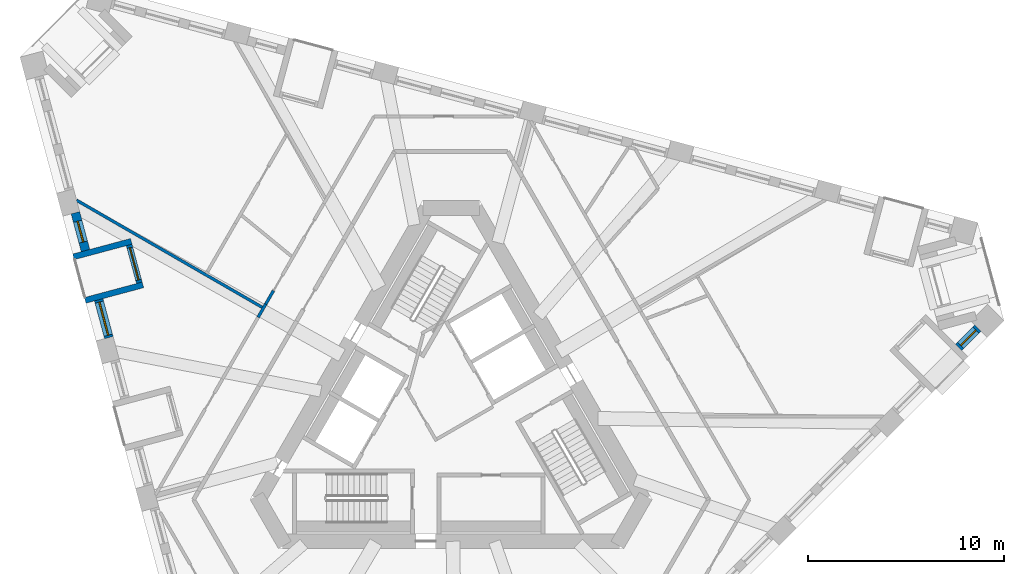
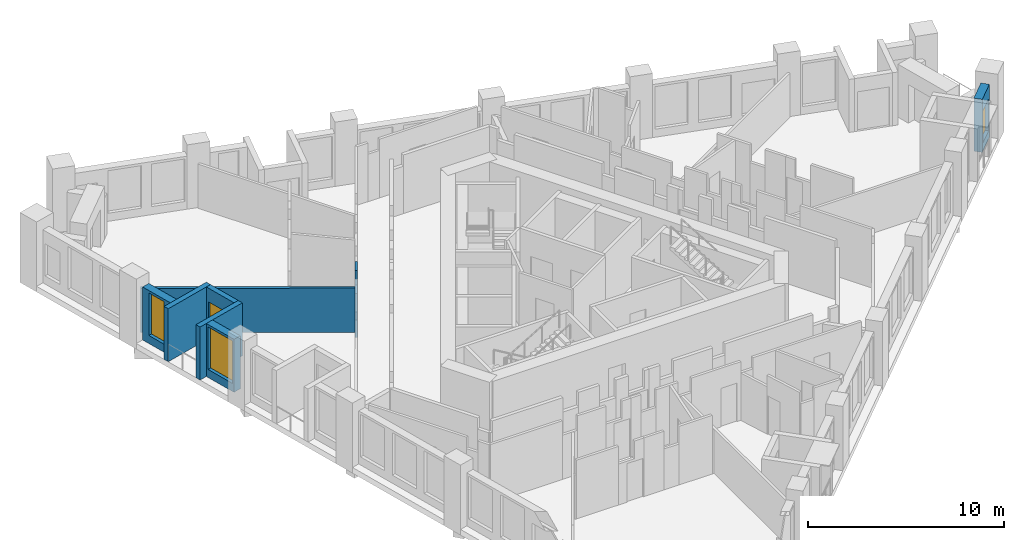
# One storey, part 6 of 13: 9 walls, 3 windows, 1 door, 4 openings.
"""IFC4 building model written with IfcOpenShell, lengths in metres."""

import ifcopenshell
import ifcopenshell.guid

model = None  # the IFC model being written
_history = None  # IfcOwnerHistory: only IFC2X3 demands one
_inside = {}  # id of a spatial element -> (the spatial element, [elements in it])
_under = {}  # id of a project, library or spatial element -> (it, [spatial elements below it])
_declared = {}  # id of a project -> (the project, [libraries it declares])
_typed = {}  # id of a type object -> (the type object, [elements of that type])
_made_of = {}  # id of a material, layer set ... -> (it, [elements and type objects made of it])


def new_model(schema):
    """Start an empty IFC model of exactly this schema.

    Asked for "IFC4X3", IfcOpenShell would pick the latest addendum, in which some entities
    have other attributes; the version numbers below select the first issue.
    IFC2X3 requires an IfcOwnerHistory on every rooted entity: one is made here for all.
    """
    global model, _history
    if schema == "IFC4X3":
        model = ifcopenshell.file(schema_version=(4, 3, 0, 0))
    else:
        model = ifcopenshell.file(schema=schema)
    _inside.clear()
    _under.clear()
    _declared.clear()
    _typed.clear()
    _made_of.clear()
    _history = None
    if model.schema == "IFC2X3":
        org = make("IfcOrganization", Name="unknown")
        user = make(
            "IfcPersonAndOrganization",
            ThePerson=make("IfcPerson", FamilyName="unknown"),
            TheOrganization=org,
        )
        app = make(
            "IfcApplication",
            ApplicationDeveloper=org,
            Version="unknown",
            ApplicationFullName="unknown",
            ApplicationIdentifier="unknown",
        )
        _history = make(
            "IfcOwnerHistory",
            OwningUser=user,
            OwningApplication=app,
            ChangeAction="ADDED",
            CreationDate=0,
        )
    return model


def make(cls, **values):
    """One entity of the class cls with the attributes given. An attribute that is None is left unset."""
    return model.create_entity(
        cls, **{name: value for name, value in values.items() if value is not None}
    )


def rooted(cls, **values):
    """An entity with a GlobalId (a new one), such as an element, a storey or a relation."""
    return make(cls, GlobalId=ifcopenshell.guid.new(), OwnerHistory=_history, **values)


def si_unit(unit_type, name, prefix=None):
    """IfcSIUnit, for example si_unit("LENGTHUNIT", "METRE", prefix="MILLI")."""
    return make("IfcSIUnit", UnitType=unit_type, Prefix=prefix, Name=name)


def assignment(units):
    """IfcUnitAssignment: the units of a project."""
    return None if units is None else make("IfcUnitAssignment", Units=units)


def point(xyz):
    """IfcCartesianPoint."""
    return None if xyz is None else make("IfcCartesianPoint", Coordinates=xyz)


def direction(xyz):
    """IfcDirection."""
    return None if xyz is None else make("IfcDirection", DirectionRatios=xyz)


def frame(location, z_axis=None, x_axis=None):
    """IfcAxis2Placement3D, a coordinate frame: its origin and axes. An axis left out is left unset."""
    return make(
        "IfcAxis2Placement3D",
        Location=point(location),
        Axis=direction(z_axis),
        RefDirection=direction(x_axis),
    )


def frame_2d(location, x_axis=None):
    """IfcAxis2Placement2D, a coordinate frame in the plane: its origin and x axis."""
    return make(
        "IfcAxis2Placement2D", Location=point(location), RefDirection=direction(x_axis)
    )


def origin():
    """The frame at (0, 0, 0) with its axes left unset."""
    return frame((0.0, 0.0, 0.0))


def place(relative_to, where):
    """IfcLocalPlacement: puts the frame where relative to a parent placement (None: the world)."""
    return make(
        "IfcLocalPlacement", PlacementRelTo=relative_to, RelativePlacement=where
    )


def context(
    kind, dimensions, precision=None, world=None, true_north=None, identifier=None
):
    """IfcGeometricRepresentationContext, for example the 3D "Model" context."""
    return make(
        "IfcGeometricRepresentationContext",
        ContextIdentifier=identifier,
        ContextType=kind,
        CoordinateSpaceDimension=dimensions,
        Precision=precision,
        WorldCoordinateSystem=world,
        TrueNorth=true_north,
    )


def subcontext(parent, identifier, kind, view, scale=None):
    """IfcGeometricRepresentationSubContext, for example "Body" below "Model"."""
    return make(
        "IfcGeometricRepresentationSubContext",
        ContextIdentifier=identifier,
        ContextType=kind,
        ParentContext=parent,
        TargetScale=scale,
        TargetView=view,
    )


def project(units=None, contexts=None):
    """IfcProject with its units and contexts."""
    return rooted(
        "IfcProject",
        Name="project",
        RepresentationContexts=contexts,
        UnitsInContext=assignment(units),
    )


def spatial(cls, under=None, at=None, **own):
    """A site, building, storey or space (cls), placed at a placement, below another one or the project."""
    s = rooted(cls, ObjectPlacement=at, **own)
    if under is not None:
        _under.setdefault(under.id(), (under, []))[1].append(s)
    return s


def profile(cls, at=None, kind="AREA", **sizes):
    """A parametric profile (cls). Its sizes go by their IFC names, for example OverallWidth=200.0."""
    return make(cls, ProfileType=kind, Position=at, **sizes)


def rectangle(**sizes):
    """IfcRectangleProfileDef."""
    return profile("IfcRectangleProfileDef", **sizes)


def extrude(swept, where, along, depth):
    """IfcExtrudedAreaSolid: the profile swept, set in the frame where, extruded along a direction by depth."""
    return make(
        "IfcExtrudedAreaSolid",
        SweptArea=swept,
        Position=where,
        ExtrudedDirection=direction(along),
        Depth=depth,
    )


def shape(context_of_items, identifier, shape_type, items):
    """IfcShapeRepresentation: the items that make up one representation, for example the "Body"."""
    return make(
        "IfcShapeRepresentation",
        ContextOfItems=context_of_items,
        RepresentationIdentifier=identifier,
        RepresentationType=shape_type,
        Items=items,
    )


def material(Name=None, Category=None):
    """IfcMaterial."""
    return make("IfcMaterial", Name=Name, Category=Category)


def layer(
    of_material, thickness, ventilated=None, Name=None, Category=None, Priority=None
):
    """IfcMaterialLayer: one layer of a wall or slab, of a material (None: an air gap)."""
    return make(
        "IfcMaterialLayer",
        Material=of_material,
        LayerThickness=thickness,
        IsVentilated=ventilated,
        Name=Name,
        Category=Category,
        Priority=Priority,
    )


def layer_set(layers, Name=None):
    """IfcMaterialLayerSet."""
    return make("IfcMaterialLayerSet", MaterialLayers=layers, LayerSetName=Name)


def made_of(thing, what):
    """Note that an element or type object is made of a material, layer set ...; save() writes the relation."""
    if what is not None:
        _made_of.setdefault(what.id(), (what, []))[1].append(thing)
    return thing


def type_object(cls, material=None, **own):
    """A type object (cls), such as IfcWallType, which elements share."""
    return made_of(rooted(cls, **own), material)


def element(
    cls,
    number,
    at=None,
    inside=None,
    cuts=None,
    type_object=None,
    material=None,
    context=None,
    identifier="Body",
    shape_type=None,
    held_by="IfcProductDefinitionShape",
    body=None,
    shapes=None,
    **own,
):
    """One element of the class cls, such as IfcWall. Its Tag is "e" and its number.

    at: its placement. inside: the storey or other place that contains it. cuts: it is an
    opening in that element (IfcRelVoidsElement). A single representation is given by context,
    identifier, shape_type and body (its items); several are given by shapes. held_by: the class
    of the entity that holds the representations. save() writes the other relations.
    """
    e = rooted(cls, Tag="e%d" % number, ObjectPlacement=at, **own)
    if body is not None:
        shapes = [shape(context, identifier, shape_type, body)]
    if shapes is not None:
        e.Representation = make(held_by, Representations=shapes)
    if inside is not None:
        _inside.setdefault(inside.id(), (inside, []))[1].append(e)
    if cuts is not None:
        rooted(
            "IfcRelVoidsElement", RelatingBuildingElement=cuts, RelatedOpeningElement=e
        )
    if type_object is not None:
        _typed.setdefault(type_object.id(), (type_object, []))[1].append(e)
    return made_of(e, material)


def fill(opening, filler):
    """IfcRelFillsElement: the door or window that sits in an opening."""
    return rooted(
        "IfcRelFillsElement",
        RelatingOpeningElement=opening,
        RelatedBuildingElement=filler,
    )


def aggregate(whole, parts):
    """IfcRelAggregates: a whole, such as a stair, and the parts it consists of."""
    return rooted("IfcRelAggregates", RelatingObject=whole, RelatedObjects=parts)


def save(model, path):
    """Write the relations noted so far, then the file.

    IfcRelAggregates (storeys below a building ...), IfcRelContainedInSpatialStructure (elements
    in a storey), IfcRelDefinesByType, IfcRelAssociatesMaterial and IfcRelDeclares: one each for
    every whole, place, type object, material and project.
    """
    for whole, parts in _under.values():
        aggregate(whole, parts)
    for where, things in _inside.values():
        rooted(
            "IfcRelContainedInSpatialStructure",
            RelatedElements=things,
            RelatingStructure=where,
        )
    for kind, things in _typed.values():
        rooted("IfcRelDefinesByType", RelatedObjects=things, RelatingType=kind)
    for what, things in _made_of.values():
        rooted("IfcRelAssociatesMaterial", RelatedObjects=things, RelatingMaterial=what)
    for by, libraries in _declared.values():
        rooted("IfcRelDeclares", RelatingContext=by, RelatedDefinitions=libraries)
    model.write(path)


model = new_model("IFC4")

# Units and contexts
model_context = context("Model", 3, precision=1e-05, world=origin(), true_north=direction((0.0, 1.0)))
body_context = subcontext(model_context, "Body", "Model", "MODEL_VIEW")
ifc_project = project(units=[si_unit("LENGTHUNIT", "METRE"), si_unit("AREAUNIT", "SQUARE_METRE"), si_unit("VOLUMEUNIT", "CUBIC_METRE"), si_unit("PLANEANGLEUNIT", "RADIAN"), si_unit("MASSUNIT", "GRAM", prefix="KILO")], contexts=[model_context])

# Site, building, storey
site_placement = place(None, origin())
site = spatial("IfcSite", under=ifc_project, at=site_placement, CompositionType="ELEMENT")
building_placement = place(site_placement, origin())
building = spatial("IfcBuilding", under=site, at=building_placement, Name="Tramontana Tower", CompositionType="ELEMENT")
storey_placement = place(building_placement, frame((0.0, 0.0, 200.0)))
storey = spatial("IfcBuildingStorey", under=building, at=storey_placement, Name="L46", CompositionType="ELEMENT", Elevation=200.0)

# Wall, opening, window
ifc_material_1 = material(Name="Precast concrete 60 MPa", Category="concrete")
ifc_layer_1 = layer(ifc_material_1, 0.449951171875)
ifc_layer_set_1 = layer_set([ifc_layer_1], Name="Precast concrete 60 MPa, 450 mm")
wall_type_1 = type_object("IfcWallType", Name="EW1 Stone-faced precast wall 450", PredefinedType="SOLIDWALL", material=ifc_layer_set_1)
wall_1_placement = place(storey_placement, frame((-19.1650390625, 10.3818359375, 0.0), z_axis=(0.0, 0.0, 1.0), x_axis=(0.258803270362, -0.96593005298, 0.0)))
wall_1 = element("IfcWall", 1, at=wall_1_placement, inside=storey, type_object=wall_type_1, Name="External wall L46 face 0 bay 2", PredefinedType="SOLIDWALL", context=body_context, shape_type="SweptSolid", body=[
    extrude(rectangle(XDim=1.998046875, YDim=0.449951171875, at=frame_2d((0.9990234375, 0.0))), origin(), (0.0, 0.0, 1.0), 3.300048828125),
])
opening_1_placement = place(wall_1_placement, frame((0.448974609375, 0.0, 0.5)))
opening_1 = element("IfcOpeningElement", 2, at=opening_1_placement, cuts=wall_1, Name="Opening N2", PredefinedType="OPENING", context=body_context, shape_type="SweptSolid", body=[
    extrude(rectangle(XDim=1.10009765625, YDim=2.64990234375, at=frame_2d((0.550048828125, 1.324951171875))), frame((0.0, 0.23486328125, 0.0), z_axis=(0.0, -1.0, 0.0), x_axis=(1.0, 0.0, 0.0)), (0.0, 0.0, 1.0), 0.469970703125),
])
ifc_material_2 = material(Name="Aluminum frame, double glazing unit", Category="aluminium")
window_type_1 = type_object("IfcWindowType", Name="N2 Window 1.1 x 2.65", PartitioningType="SINGLE_PANEL", PredefinedType="WINDOW", material=ifc_material_2)
window_1_placement = place(opening_1_placement, origin())
window_1 = element("IfcWindow", 3, at=window_1_placement, inside=storey, type_object=window_type_1, Name="Window N2 L46 face 0 module 4", OverallHeight=2.64990234375, OverallWidth=1.10009765625, PartitioningType="SINGLE_PANEL", PredefinedType="WINDOW", context=body_context, shape_type="SweptSolid", body=[
    extrude(rectangle(XDim=1.10009765625, YDim=2.64990234375, at=frame_2d((0.550048828125, 1.324951171875))), frame((0.0, 0.030029296875, 0.0), z_axis=(0.0, -1.0, 0.0), x_axis=(1.0, 0.0, 0.0)), (0.0, 0.0, 1.0), 0.06005859375),
])
fill(opening_1, window_1)

wall_2_placement = place(storey_placement, frame((-17.9755859375, 5.9423828125, 0.0), z_axis=(0.0, 0.0, 1.0), x_axis=(0.25891727291, -0.965899500874, 0.0)))
wall_2 = element("IfcWall", 4, at=wall_2_placement, inside=storey, type_object=wall_type_1, Name="External wall L46 face 0 bay 2", PredefinedType="SOLIDWALL", context=body_context, shape_type="SweptSolid", body=[
    extrude(rectangle(XDim=1.998046875, YDim=0.449951171875, at=frame_2d((0.9990234375, 0.0))), origin(), (0.0, 0.0, 1.0), 3.300048828125),
])
opening_2_placement = place(wall_2_placement, frame((0.1240234375, 0.0, 0.5)))
opening_2 = element("IfcOpeningElement", 5, at=opening_2_placement, cuts=wall_2, Name="Opening M2", PredefinedType="OPENING", context=body_context, shape_type="SweptSolid", body=[
    extrude(rectangle(XDim=1.75, YDim=2.64990234375, at=frame_2d((0.875, 1.324951171875))), frame((0.0, 0.23486328125, 0.0), z_axis=(0.0, -1.0, 0.0), x_axis=(1.0, 0.0, 0.0)), (0.0, 0.0, 1.0), 0.469970703125),
])
ifc_material_3 = material(Name="Aluminum frame, double glazing unit", Category="aluminium")
window_type_2 = type_object("IfcWindowType", Name="M2 Window 1.75 x 2.65", PartitioningType="SINGLE_PANEL", PredefinedType="WINDOW", material=ifc_material_3)
window_2_placement = place(opening_2_placement, origin())
window_2 = element("IfcWindow", 6, at=window_2_placement, inside=storey, type_object=window_type_2, Name="Window M2 L46 face 0 module 6", OverallHeight=2.64990234375, OverallWidth=1.75, PartitioningType="SINGLE_PANEL", PredefinedType="WINDOW", context=body_context, shape_type="SweptSolid", body=[
    extrude(rectangle(XDim=1.75, YDim=2.64990234375, at=frame_2d((0.875, 1.324951171875))), frame((0.0, 0.030029296875, 0.0), z_axis=(0.0, -1.0, 0.0), x_axis=(1.0, 0.0, 0.0)), (0.0, 0.0, 1.0), 0.06005859375),
])
fill(opening_2, window_2)

wall_3_placement = place(storey_placement, frame((25.886962890625, 3.507080078125, 0.0), z_axis=(0.0, 0.0, 1.0), x_axis=(0.707106781187, 0.707106781187, 0.0)))
wall_3 = element("IfcWall", 7, at=wall_3_placement, inside=storey, type_object=wall_type_1, Name="External wall L46 face 1 bay 6", PredefinedType="SOLIDWALL", context=body_context, shape_type="SweptSolid", body=[
    extrude(rectangle(XDim=1.39794921875, YDim=0.449951171875, at=frame_2d((0.698974609375, 0.0))), origin(), (0.0, 0.0, 1.0), 3.300048828125),
])
opening_3_placement = place(wall_3_placement, frame((0.14892578125, 0.0, 0.5)))
opening_3 = element("IfcOpeningElement", 8, at=opening_3_placement, cuts=wall_3, Name="Opening N2L", PredefinedType="OPENING", context=body_context, shape_type="SweptSolid", body=[
    extrude(rectangle(XDim=1.10009765625, YDim=2.0, at=frame_2d((0.550048828125, 1.0))), frame((0.0, 0.23486328125, 0.0), z_axis=(0.0, -1.0, 0.0), x_axis=(1.0, 0.0, 0.0)), (0.0, 0.0, 1.0), 0.469970703125),
])
ifc_material_4 = material(Name="Aluminum frame, double glazing unit", Category="aluminium")
window_type_3 = type_object("IfcWindowType", Name="N2L Window 1.1 x 2", PartitioningType="SINGLE_PANEL", PredefinedType="WINDOW", material=ifc_material_4)
window_3_placement = place(opening_3_placement, origin())
window_3 = element("IfcWindow", 9, at=window_3_placement, inside=storey, type_object=window_type_3, Name="Window N2L L46 face 1 module 18", OverallHeight=2.0, OverallWidth=1.10009765625, PartitioningType="SINGLE_PANEL", PredefinedType="WINDOW", context=body_context, shape_type="SweptSolid", body=[
    extrude(rectangle(XDim=1.10009765625, YDim=2.0, at=frame_2d((0.550048828125, 1.0))), frame((0.0, 0.030029296875, 0.0), z_axis=(0.0, -1.0, 0.0), x_axis=(1.0, 0.0, 0.0)), (0.0, 0.0, 1.0), 0.06005859375),
])
fill(opening_3, window_3)

# Wall, opening, door
ifc_material_5 = material(Name="Precast concrete 60 MPa", Category="concrete")
ifc_layer_2 = layer(ifc_material_5, 0.300048828125)
ifc_layer_set_2 = layer_set([ifc_layer_2], Name="LW1 Stone-faced loggia wall 300")
wall_type_2 = type_object("IfcWallType", Name="LW1 Stone-faced loggia wall 300", PredefinedType="SOLIDWALL", material=ifc_layer_set_2)
wall_4_placement = place(storey_placement, frame((-16.421142578125, 8.738037109375, 0.0), z_axis=(0.0, 0.0, 1.0), x_axis=(0.258803270362, -0.96593005298, 0.0)))
wall_4 = element("IfcWall", 10, at=wall_4_placement, inside=storey, type_object=wall_type_2, Name="Loggia wall L46 G5S0.4", PredefinedType="SOLIDWALL", context=body_context, shape_type="SweptSolid", body=[
    extrude(rectangle(XDim=1.998046875, YDim=0.300048828125, at=frame_2d((0.9990234375, 0.0))), origin(), (0.0, 0.0, 1.0), 3.300048828125),
])
opening_4_placement = place(wall_4_placement, frame((0.14892578125, 0.0, 0.0)))
opening_4 = element("IfcOpeningElement", 11, at=opening_4_placement, cuts=wall_4, Name="Opening BD-5S0-04", PredefinedType="OPENING", context=body_context, shape_type="SweptSolid", body=[
    extrude(rectangle(XDim=1.699951171875, YDim=2.449951171875, at=frame_2d((0.85009765625, 1.22509765625))), frame((0.0, 0.159912109375, 0.0), z_axis=(0.0, -1.0, 0.0), x_axis=(1.0, 0.0, 0.0)), (0.0, 0.0, 1.0), 0.320068359375),
])
ifc_material_6 = material(Name="Aluminum frame, double glazing unit", Category="aluminium")
door_type = type_object("IfcDoorType", Name="BD2 Sliding door 1.7 x 2.45", OperationType="SLIDING_TO_LEFT", PredefinedType="DOOR", material=ifc_material_6)
door_placement = place(opening_4_placement, origin())
door = element("IfcDoor", 12, at=door_placement, inside=storey, type_object=door_type, Name="Loggia door L46 G5S0.4", OperationType="SLIDING_TO_LEFT", OverallHeight=2.449951171875, OverallWidth=1.699951171875, PredefinedType="DOOR", context=body_context, shape_type="SweptSolid", body=[
    extrude(rectangle(XDim=1.699951171875, YDim=2.449951171875, at=frame_2d((0.85009765625, 1.22509765625))), frame((0.0, 0.02490234375, 0.0), z_axis=(0.0, -1.0, 0.0), x_axis=(1.0, 0.0, 0.0)), (0.0, 0.0, 1.0), 0.050048828125),
])
fill(opening_4, door)

# Walls
wall_5_placement = place(storey_placement, frame((-19.26123046875, 8.13232421875, 0.0), z_axis=(0.0, 0.0, 1.0), x_axis=(0.9659380486, 0.25877342651, 0.0)))
element("IfcWall", 13, at=wall_5_placement, inside=storey, type_object=wall_type_2, Name="Loggia return L46 G5S0.4a", PredefinedType="SOLIDWALL", context=body_context, shape_type="SweptSolid", body=[
    extrude(rectangle(XDim=3.05029296875, YDim=0.300048828125, at=frame_2d((1.525146484375, 0.0))), origin(), (0.0, 0.0, 1.0), 3.300048828125),
])
wall_6_placement = place(storey_placement, frame((-18.666259765625, 5.91259765625, 0.0), z_axis=(0.0, 0.0, 1.0), x_axis=(0.965932688119, 0.258793435045, 0.0)))
element("IfcWall", 14, at=wall_6_placement, inside=storey, type_object=wall_type_2, Name="Loggia return L46 G5S0.4b", PredefinedType="SOLIDWALL", context=body_context, shape_type="SweptSolid", body=[
    extrude(rectangle(XDim=3.050048828125, YDim=0.300048828125, at=frame_2d((1.52490234375, 0.0))), origin(), (0.0, 0.0, 1.0), 3.300048828125),
])
ifc_material_7 = material(Name="Gypsum board partition")
ifc_layer_3 = layer(ifc_material_7, 0.14990234375)
ifc_layer_set_3 = layer_set([ifc_layer_3], Name="PARTITION 150")
wall_type_3 = type_object("IfcWallType", Name="PARTITION 150", PredefinedType="PARTITIONING", material=ifc_layer_set_3)
wall_7_placement = place(storey_placement, frame((-9.843994140625, 5.0498046875, 0.0), z_axis=(0.0, 0.0, 1.0), x_axis=(0.500204125617, 0.865907519724, 0.0)))
element("IfcWall", 15, at=wall_7_placement, inside=storey, type_object=wall_type_3, Name="Wall v50-pw00-4", PredefinedType="PARTITIONING", context=body_context, shape_type="SweptSolid", body=[
    extrude(rectangle(XDim=0.775146484375, YDim=0.14990234375, at=frame_2d((0.3876953125, 0.0))), origin(), (0.0, 0.0, 1.0), 2.75),
])
wall_8_placement = place(storey_placement, frame((-9.456298828125, 5.720947265625, 0.0), z_axis=(0.0, 0.0, 1.0), x_axis=(0.499874568293, 0.866097809704, 0.0)))
element("IfcWall", 16, at=wall_8_placement, inside=storey, type_object=wall_type_3, Name="Wall v50-pw00-5", PredefinedType="PARTITIONING", context=body_context, shape_type="SweptSolid", body=[
    extrude(rectangle(XDim=0.787353515625, YDim=0.14990234375, at=frame_2d((0.3935546875, 0.0))), origin(), (0.0, 0.0, 1.0), 3.64990234375),
])
wall_9_placement = place(storey_placement, frame((-9.63671875, 5.55908203125, 0.0), z_axis=(0.0, 0.0, 1.0), x_axis=(-0.866210875497, 0.499678615883, 0.0)))
element("IfcWall", 17, at=wall_9_placement, inside=storey, type_object=wall_type_3, Name="Wall v50-pw06-0", PredefinedType="PARTITIONING", context=body_context, shape_type="SweptSolid", body=[
    extrude(rectangle(XDim=10.928466796875, YDim=0.14990234375, at=frame_2d((5.46435546875, 0.0))), origin(), (0.0, 0.0, 1.0), 2.75),
])

save(model, "model.ifc")
